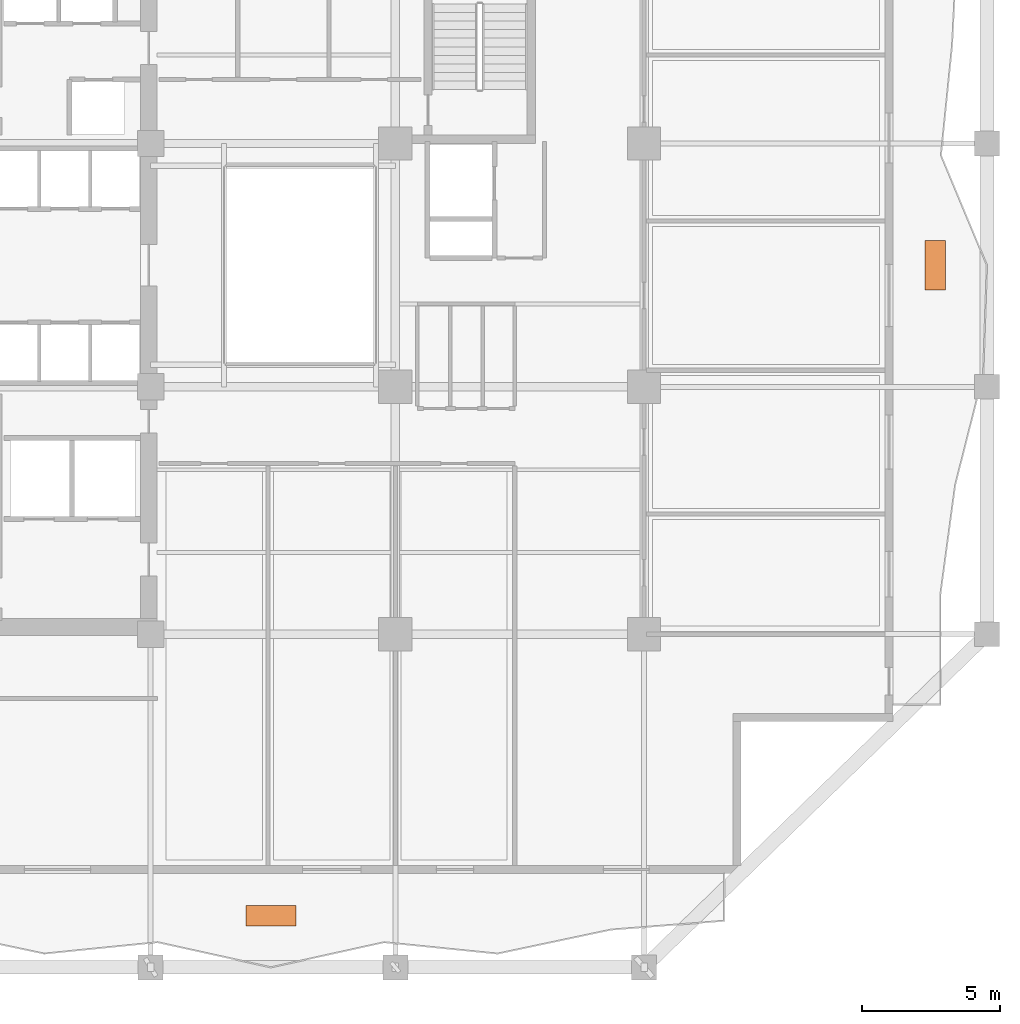
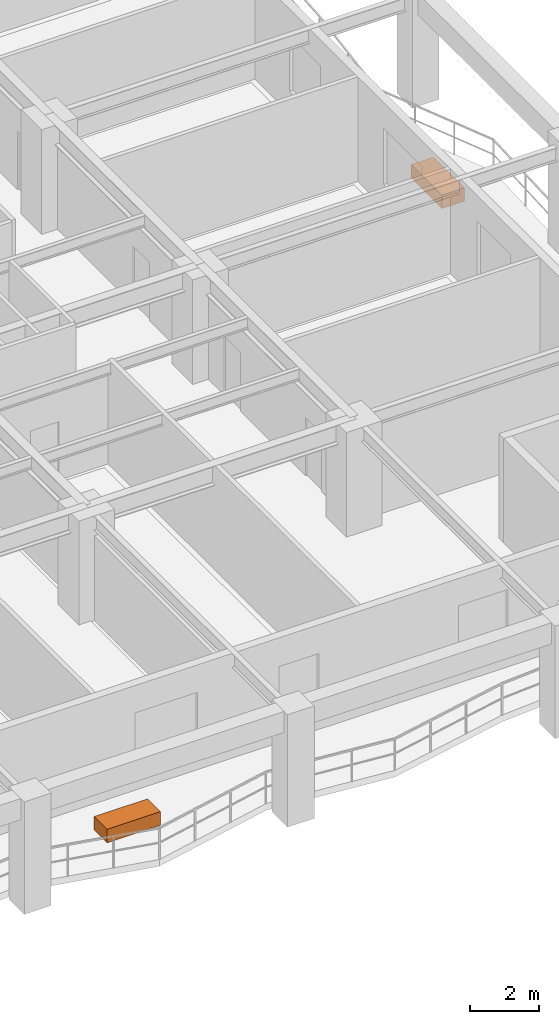
# One storey, part 13 of 13: 2 proxies.
"""IFC4 building model written with IfcOpenShell, lengths in metres."""

from ifc_helpers import new_model, si_unit, direction, frame, origin, origin_2d, place, context, subcontext, project, spatial, rectangle, extrude, material, type_object, element, save


model = new_model("IFC4")

# Units and contexts
model_context = context("Model", 3, precision=1e-05, world=origin(), true_north=direction((0.0, 1.0)))
body_context = subcontext(model_context, "Body", "Model", "MODEL_VIEW")
ifc_project = project(units=[si_unit("LENGTHUNIT", "METRE"), si_unit("AREAUNIT", "SQUARE_METRE"), si_unit("VOLUMEUNIT", "CUBIC_METRE"), si_unit("PLANEANGLEUNIT", "RADIAN"), si_unit("MASSUNIT", "GRAM", prefix="KILO")], contexts=[model_context])

# Site, building, storey
site_placement = place(None, origin())
site = spatial("IfcSite", under=ifc_project, at=site_placement, CompositionType="ELEMENT")
building_placement = place(site_placement, origin())
building = spatial("IfcBuilding", under=site, at=building_placement, Name="Kundavana Baori Tower", CompositionType="ELEMENT")
storey_placement = place(building_placement, frame((0.0, 0.0, 54.0)))
storey = spatial("IfcBuildingStorey", under=building, at=storey_placement, Name="L12", CompositionType="ELEMENT", Elevation=54.0)

# Proxies
ifc_material = material(Name="Red-Buff Dholpur Sandstone Cladding on Concrete C40/50", Category="masonry")
building_element_proxy_type = type_object("IfcBuildingElementProxyType", Name="PRX-PLANTER-1800", PredefinedType="USERDEFINED", material=ifc_material)
for number, where, z_axis, x_axis, name in (
    (1, (29.300048828125, 5.070068359375, 0.0), (0.0, 0.0, 1.0), (1.0, 0.0, 0.0), "L12 Dholpur Stone Structural Tree Planter S"),
    (2, (53.330078125, 28.60009765625, 0.0), (0.0, 0.0, 1.0), (0.0, 1.0, 0.0), "L12 Dholpur Stone Structural Tree Planter E"),
):
    element("IfcBuildingElementProxy", number, at=place(storey_placement, frame(where, z_axis=z_axis, x_axis=x_axis)), inside=storey, type_object=building_element_proxy_type, Name=name, ObjectType="PLANTER", PredefinedType="USERDEFINED", context=body_context, shape_type="SweptSolid", body=[
        extrude(rectangle(XDim=1.800048828125, YDim=0.75, at=origin_2d()), origin(), (0.0, 0.0, 1.0), 0.47998046875),
    ])

save(model, "model.ifc")
